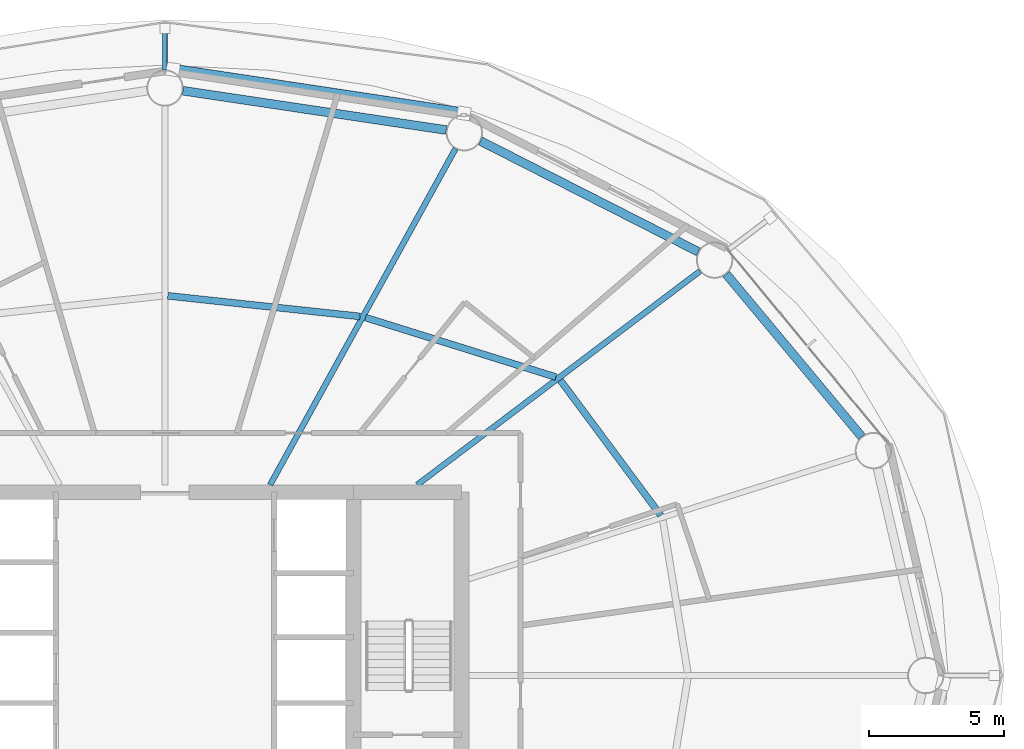
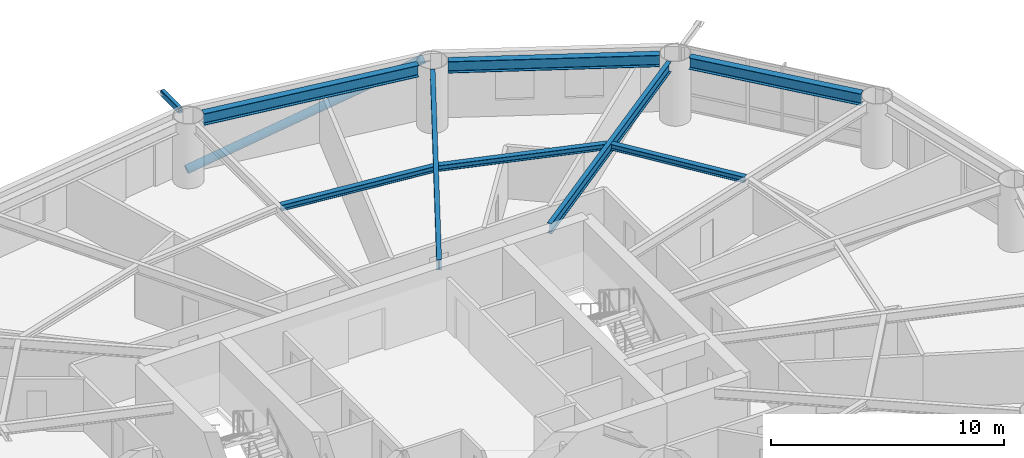
# One storey, part 11 of 24: 8 beams, 2 members.
"""IFC4 building model written with IfcOpenShell, lengths in metres."""

from ifc_helpers import new_model, si_unit, direction, frame, origin, origin_2d, place, context, subcontext, project, spatial, hollow_rectangle, hollow_circle, i_section, extrude, material, material_profile, profile_set, type_object, element, save


model = new_model("IFC4")

# Units and contexts
model_context = context("Model", 3, precision=1e-05, world=origin(), true_north=direction((0.0, 1.0)))
body_context = subcontext(model_context, "Body", "Model", "MODEL_VIEW")
ifc_project = project(units=[si_unit("LENGTHUNIT", "METRE"), si_unit("AREAUNIT", "SQUARE_METRE"), si_unit("VOLUMEUNIT", "CUBIC_METRE"), si_unit("PLANEANGLEUNIT", "RADIAN"), si_unit("MASSUNIT", "GRAM", prefix="KILO")], contexts=[model_context])

# Site, building, storey
site_placement = place(None, origin())
site = spatial("IfcSite", under=ifc_project, at=site_placement, CompositionType="ELEMENT")
building_placement = place(site_placement, origin())
building = spatial("IfcBuilding", under=site, at=building_placement, Name="Sarneth Arch Tower", CompositionType="ELEMENT")
storey_placement = place(building_placement, frame((0.0, 0.0, 123.60009765625)))
storey = spatial("IfcBuildingStorey", under=building, at=storey_placement, Name="L31", CompositionType="ELEMENT", Elevation=123.60009765625)

# Beams
ifc_material_1 = material(Name="Steel S355", Category="steel")
ifc_material_profile_1 = material_profile(ifc_material_1, i_section(OverallWidth=0.25390625, OverallDepth=0.305908203125, WebThickness=0.0087890625, FlangeThickness=0.0146484375, FilletRadius=0.014892578125, at=origin_2d()), Name="W310x79")
ifc_profile_set_1 = profile_set([ifc_material_profile_1], Name="Steel S355")
beam_type_1 = type_object("IfcBeamType", Name="BM-JOIST-310A", PredefinedType="JOIST", material=ifc_profile_set_1)
beam_1_placement = place(storey_placement, frame((66.3984375, 47.942626953125, 3.226806640625), z_axis=(-0.596354224217, 0.80272139579, 0.0), x_axis=(-0.80272139579, -0.596354224217, 0.0)))
element("IfcBeam", 1, at=beam_1_placement, inside=storey, type_object=beam_type_1, Name="L31 Secondary floor joist 02", PredefinedType="JOIST", context=body_context, shape_type="SweptSolid", body=[
    extrude(i_section(OverallWidth=0.25390625, OverallDepth=0.305908203125, WebThickness=0.0087890625, FlangeThickness=0.0146484375, FilletRadius=0.014892578125, at=origin_2d()), origin(), (0.0, 0.0, 1.0), 6.246337890625),
])
beam_2_placement = place(storey_placement, frame((62.509765625, 53.072998046875, 3.226806640625), z_axis=(-0.9544870201, 0.298252457594, 0.0), x_axis=(-0.298252457594, -0.9544870201, 0.0)))
element("IfcBeam", 2, at=beam_2_placement, inside=storey, type_object=beam_type_1, Name="L31 Secondary floor joist 03", PredefinedType="JOIST", context=body_context, shape_type="SweptSolid", body=[
    extrude(i_section(OverallWidth=0.25390625, OverallDepth=0.305908203125, WebThickness=0.0087890625, FlangeThickness=0.0146484375, FilletRadius=0.014892578125, at=origin_2d()), origin(), (0.0, 0.0, 1.0), 7.40234375),
])
beam_3_placement = place(storey_placement, frame((55.238525390625, 55.323486328125, 3.226806640625), z_axis=(-0.99429330851, 0.106680910441, 0.0), x_axis=(-0.106680910441, -0.99429330851, 0.0)))
element("IfcBeam", 3, at=beam_3_placement, inside=storey, type_object=beam_type_1, Name="L31 Secondary floor joist 04", PredefinedType="JOIST", context=body_context, shape_type="SweptSolid", body=[
    extrude(i_section(OverallWidth=0.25390625, OverallDepth=0.305908203125, WebThickness=0.0087890625, FlangeThickness=0.0146484375, FilletRadius=0.014892578125, at=origin_2d()), origin(), (0.0, 0.0, 1.0), 7.174560546875),
])
ifc_material_2 = material(Name="Steel S355", Category="steel")
ifc_material_profile_2 = material_profile(ifc_material_2, i_section(OverallWidth=0.2109375, OverallDepth=0.5390625, WebThickness=0.01171875, FlangeThickness=0.018798828125, FilletRadius=0.01806640625, at=origin_2d()), Name="W530x109")
ifc_profile_set_2 = profile_set([ifc_material_profile_2], Name="Steel S355")
beam_type_2 = type_object("IfcBeamType", Name="BM-RAD-530B", PredefinedType="BEAM", material=ifc_profile_set_2)
beam_4_placement = place(storey_placement, frame((57.36181640625, 49.074951171875, 3.1103515625), z_axis=(0.797801476102, 0.602920230818, 0.0), x_axis=(-0.602920230818, 0.797801476102, 0.0)))
element("IfcBeam", 4, at=beam_4_placement, inside=storey, type_object=beam_type_2, Name="L31 Radial floor girder 03", PredefinedType="BEAM", context=body_context, shape_type="SweptSolid", body=[
    extrude(i_section(OverallWidth=0.2109375, OverallDepth=0.5390625, WebThickness=0.01171875, FlangeThickness=0.018798828125, FilletRadius=0.01806640625, at=origin_2d()), origin(), (0.0, 0.0, 1.0), 13.15771484375),
])
beam_5_placement = place(storey_placement, frame((51.90283203125, 49.074951171875, 3.1103515625), z_axis=(0.48301301286, 0.875613173387, 0.0), x_axis=(-0.875613173387, 0.48301301286, 0.0)))
element("IfcBeam", 5, at=beam_5_placement, inside=storey, type_object=beam_type_2, Name="L31 Radial floor girder 04", PredefinedType="BEAM", context=body_context, shape_type="SweptSolid", body=[
    extrude(i_section(OverallWidth=0.2109375, OverallDepth=0.5390625, WebThickness=0.01171875, FlangeThickness=0.018798828125, FilletRadius=0.01806640625, at=origin_2d()), origin(), (0.0, 0.0, 1.0), 14.246826171875),
])
ifc_material_3 = material(Name="Steel S355", Category="steel")
ifc_material_profile_3 = material_profile(ifc_material_3, i_section(OverallWidth=0.323974609375, OverallDepth=0.611083984375, WebThickness=0.0126953125, FlangeThickness=0.01904296875, FilletRadius=0.01904296875, at=origin_2d()), Name="W610x155")
ifc_profile_set_3 = profile_set([ifc_material_profile_3], Name="Steel S355")
beam_type_3 = type_object("IfcBeamType", Name="BM-SPAN-610B", PredefinedType="SPANDREL", material=ifc_profile_set_3)
beam_6_placement = place(storey_placement, frame((73.859130859375, 50.861083984375, 3.074462890625), z_axis=(-0.640169116175, 0.768234015581, 0.0), x_axis=(-0.768234015581, -0.640169116175, 0.0)))
element("IfcBeam", 6, at=beam_6_placement, inside=storey, type_object=beam_type_3, Name="L31 Perimeter spandrel beam 02", PredefinedType="SPANDREL", context=body_context, shape_type="SweptSolid", body=[
    extrude(i_section(OverallWidth=0.323974609375, OverallDepth=0.611083984375, WebThickness=0.0126953125, FlangeThickness=0.01904296875, FilletRadius=0.01904296875, at=origin_2d()), origin(), (0.0, 0.0, 1.0), 7.856201171875),
])
beam_7_placement = place(storey_placement, frame((67.796142578125, 57.720947265625, 3.074462890625), z_axis=(-0.891255891792, 0.453500755619, 0.0), x_axis=(-0.453500755619, -0.891255891792, 0.0)))
element("IfcBeam", 7, at=beam_7_placement, inside=storey, type_object=beam_type_3, Name="L31 Perimeter spandrel beam 03", PredefinedType="SPANDREL", context=body_context, shape_type="SweptSolid", body=[
    extrude(i_section(OverallWidth=0.323974609375, OverallDepth=0.611083984375, WebThickness=0.0126953125, FlangeThickness=0.01904296875, FilletRadius=0.01904296875, at=origin_2d()), origin(), (0.0, 0.0, 1.0), 9.070556640625),
])
beam_8_placement = place(storey_placement, frame((58.442626953125, 62.240234375, 3.074462890625), z_axis=(-0.989029828744, 0.147715936359, 0.0), x_axis=(-0.147715936359, -0.989029828744, 0.0)))
element("IfcBeam", 8, at=beam_8_placement, inside=storey, type_object=beam_type_3, Name="L31 Perimeter spandrel beam 04", PredefinedType="SPANDREL", context=body_context, shape_type="SweptSolid", body=[
    extrude(i_section(OverallWidth=0.323974609375, OverallDepth=0.611083984375, WebThickness=0.0126953125, FlangeThickness=0.01904296875, FilletRadius=0.01904296875, at=origin_2d()), origin(), (0.0, 0.0, 1.0), 9.883544921875),
])

# Members
ifc_material_4 = material(Name="Steel S355", Category="steel")
ifc_material_profile_4 = material_profile(ifc_material_4, hollow_rectangle(XDim=0.199951171875, YDim=0.300048828125, WallThickness=0.012451171875, InnerFilletRadius=0.018798828125, OuterFilletRadius=0.03125, at=origin_2d()), Name="RHS300x200x12.5")
ifc_profile_set_4 = profile_set([ifc_material_profile_4], Name="Steel S355")
member_type_1 = type_object("IfcMemberType", Name="MEM-CANT-STRUT", PredefinedType="STRUT", material=ifc_profile_set_4)
member_1_placement = place(storey_placement, frame((48.0, 64.47509765625, 3.219970703125), z_axis=(0.0, 1.0, 0.0), x_axis=(-1.0, 0.0, 0.0)))
element("IfcMember", 9, at=member_1_placement, inside=storey, type_object=member_type_1, Name="L31 Balcony cantilever bracket 05", PredefinedType="STRUT", context=body_context, shape_type="SweptSolid", body=[
    extrude(hollow_rectangle(XDim=0.199951171875, YDim=0.300048828125, WallThickness=0.012451171875, InnerFilletRadius=0.018798828125, OuterFilletRadius=0.03125, at=origin_2d()), origin(), (0.0, 0.0, 1.0), 1.538330078125),
])
ifc_material_5 = material(Name="Steel S355", Category="steel")
ifc_material_profile_5 = material_profile(ifc_material_5, hollow_circle(Radius=0.202880859375, WallThickness=0.01611328125, at=origin_2d()), Name="CHS406x16")
ifc_profile_set_5 = profile_set([ifc_material_profile_5], Name="Steel S355")
member_type_2 = type_object("IfcMemberType", Name="MEM-DIAG-BR2", PredefinedType="BRACE", material=ifc_profile_set_5)
member_2_placement = place(storey_placement, frame((48.296630859375, 64.4853515625, 0.02001953125), z_axis=(0.95366207304, -0.143606787372, 0.264396938456), x_axis=(0.148905755657, 0.988851392239, 0.0)))
element("IfcMember", 10, at=member_2_placement, inside=storey, type_object=member_type_2, Name="L31 Perimeter frame diagonal 04", PredefinedType="BRACE", context=body_context, shape_type="SweptSolid", body=[
    extrude(hollow_circle(Radius=0.202880859375, WallThickness=0.01611328125, at=origin_2d()), origin(), (0.0, 0.0, 1.0), 11.32080078125),
])

save(model, "model.ifc")
